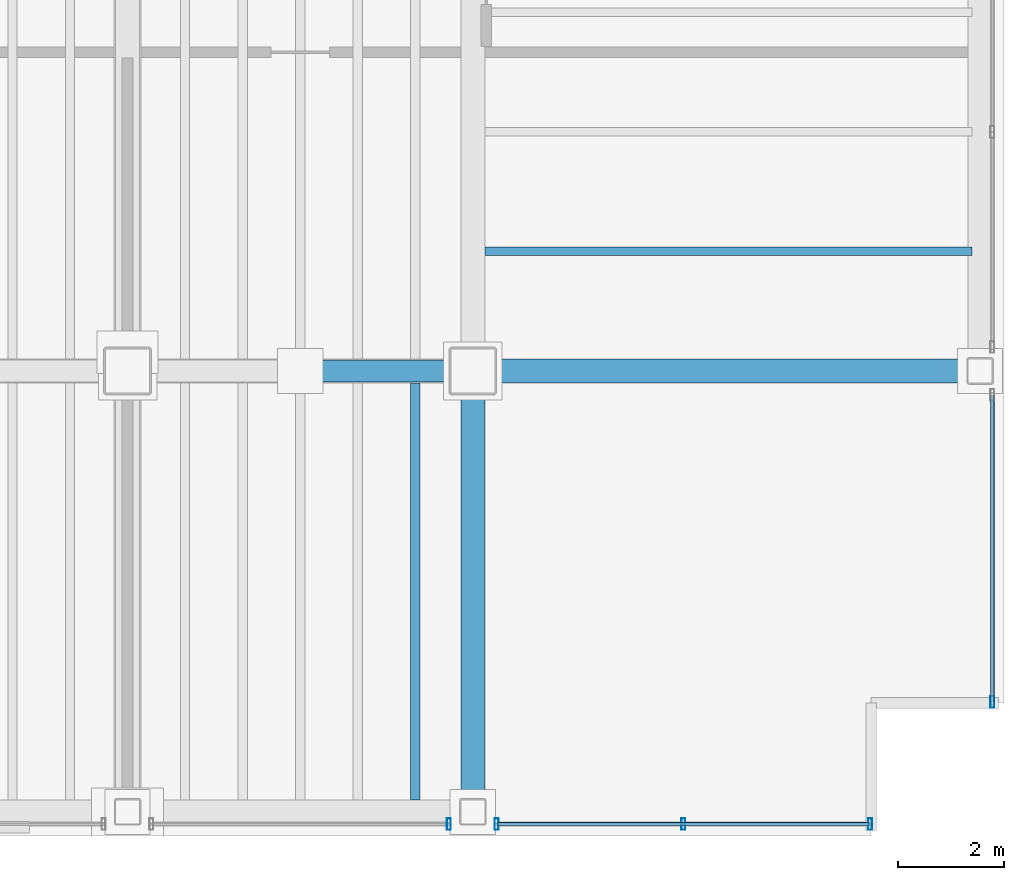
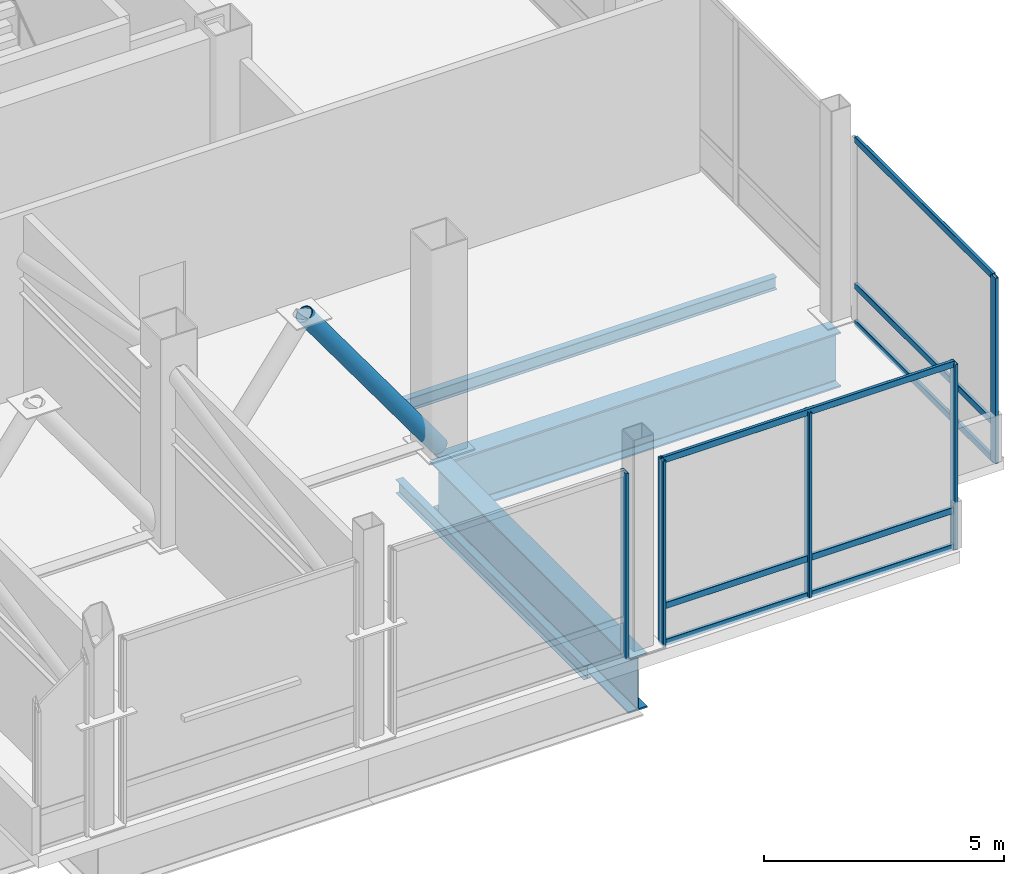
# One storey, part 12 of 18: 12 members, 4 beams, 3 elements without a shape of their own.
"""IFC4 building model written with IfcOpenShell, lengths in metres."""

from ifc_helpers import new_model, si_unit, direction, frame, origin, origin_2d, place, context, subcontext, project, spatial, hollow_rectangle, hollow_circle, i_section, extrude, material, material_profile, profile_set, type_object, element, aggregate, save


model = new_model("IFC4")

# Units and contexts
model_context = context("Model", 3, precision=1e-05, world=origin(), true_north=direction((0.0, 1.0)))
body_context = subcontext(model_context, "Body", "Model", "MODEL_VIEW")
ifc_project = project(units=[si_unit("LENGTHUNIT", "METRE"), si_unit("AREAUNIT", "SQUARE_METRE"), si_unit("VOLUMEUNIT", "CUBIC_METRE"), si_unit("PLANEANGLEUNIT", "RADIAN"), si_unit("MASSUNIT", "GRAM", prefix="KILO")], contexts=[model_context])

# Site, building, storey
site_placement = place(None, origin())
site = spatial("IfcSite", under=ifc_project, at=site_placement, CompositionType="ELEMENT")
building_placement = place(site_placement, origin())
building = spatial("IfcBuilding", under=site, at=building_placement, Name="Noeulbin Bourse Tower", CompositionType="ELEMENT")
storey_placement = place(building_placement, frame((0.0, 0.0, 200.699951171875)))
storey = spatial("IfcBuildingStorey", under=building, at=storey_placement, Name="L50", CompositionType="ELEMENT", Elevation=200.699951171875)

# Beams
ifc_material_1 = material(Name="Steel S355", Category="steel")
ifc_material_profile_1 = material_profile(ifc_material_1, i_section(OverallWidth=0.159912109375, OverallDepth=0.320068359375, WebThickness=0.006591796875, FlangeThickness=0.010009765625, FilletRadius=0.012939453125, at=origin_2d()), Name="H-320x160x6.5x10", Category="LoadBearing")
ifc_profile_set_1 = profile_set([ifc_material_profile_1], Name="Steel S355")
beam_type_1 = type_object("IfcBeamType", Name="BM-JST-320", PredefinedType="JOIST", material=ifc_profile_set_1)
beam_1_placement = place(storey_placement, frame((44.22509765625, 22.25, -0.4599609375), z_axis=(1.0, 0.0, 0.0), x_axis=(0.0, 1.0, 0.0)))
element("IfcBeam", 1, at=beam_1_placement, inside=storey, type_object=beam_type_1, Name="Wing Composite Joist L50-E50", PredefinedType="JOIST", context=body_context, shape_type="SweptSolid", body=[
    extrude(i_section(OverallWidth=0.159912109375, OverallDepth=0.320068359375, WebThickness=0.006591796875, FlangeThickness=0.010009765625, FilletRadius=0.012939453125, at=origin_2d()), origin(), (0.0, 0.0, 1.0), 9.1748046875),
])
ifc_material_profile_2 = material_profile(ifc_material_1, i_section(OverallWidth=0.175048828125, OverallDepth=0.35009765625, WebThickness=0.007080078125, FlangeThickness=0.010986328125, FilletRadius=0.013916015625, at=origin_2d()), Name="H-350x175x7x11", Category="LoadBearing")
ifc_profile_set_2 = profile_set([ifc_material_profile_2], Name="Steel S355")
beam_type_2 = type_object("IfcBeamType", Name="BM-JST-350", PredefinedType="JOIST", material=ifc_profile_set_2)
beam_2_placement = place(storey_placement, frame((42.916748046875, 11.925048828125, -0.474853515625), z_axis=(0.0, 1.0, 0.0), x_axis=(-1.0, 0.0, 0.0)))
element("IfcBeam", 2, at=beam_2_placement, inside=storey, type_object=beam_type_2, Name="Tower Composite Joist L50-45", PredefinedType="JOIST", context=body_context, shape_type="SweptSolid", body=[
    extrude(i_section(OverallWidth=0.175048828125, OverallDepth=0.35009765625, WebThickness=0.007080078125, FlangeThickness=0.010986328125, FilletRadius=0.013916015625, at=origin_2d()), origin(), (0.0, 0.0, 1.0), 7.849853515625),
])
ifc_material_2 = material(Name="Steel S460", Category="steel")
ifc_material_profile_3 = material_profile(ifc_material_2, i_section(OverallWidth=0.449951171875, OverallDepth=1.39990234375, WebThickness=0.02392578125, FlangeThickness=0.0400390625, FilletRadius=0.02392578125, at=origin_2d()), Name="PG-1400x450x24x40", Category="LoadBearing")
ifc_profile_set_3 = profile_set([ifc_material_profile_3], Name="Steel S460")
beam_type_3 = type_object("IfcBeamType", Name="BM-TRF-1400", PredefinedType="USERDEFINED", material=ifc_profile_set_3)
beam_3_placement = place(storey_placement, frame((44.0, 20.0, -1.0), z_axis=(1.0, 0.0, 0.0), x_axis=(0.0, 1.0, 0.0)))
element("IfcBeam", 3, at=beam_3_placement, inside=storey, type_object=beam_type_3, Name="Tower Primary Girder EW L50-1.6", ObjectType="GIRDER", PredefinedType="USERDEFINED", context=body_context, shape_type="SweptSolid", body=[
    extrude(i_section(OverallWidth=0.449951171875, OverallDepth=1.39990234375, WebThickness=0.02392578125, FlangeThickness=0.0400390625, FilletRadius=0.02392578125, at=origin_2d()), origin(), (0.0, 0.0, 1.0), 9.550048828125),
])
beam_4_placement = place(storey_placement, frame((44.0, 11.699951171875, -1.0), z_axis=(0.0, 1.0, 0.0), x_axis=(-1.0, 0.0, 0.0)))
element("IfcBeam", 4, at=beam_4_placement, inside=storey, type_object=beam_type_3, Name="Tower Primary Girder NS L50-5.1", ObjectType="GIRDER", PredefinedType="USERDEFINED", context=body_context, shape_type="SweptSolid", body=[
    extrude(i_section(OverallWidth=0.449951171875, OverallDepth=1.39990234375, WebThickness=0.02392578125, FlangeThickness=0.0400390625, FilletRadius=0.02392578125, at=origin_2d()), origin(), (0.0, 0.0, 1.0), 8.300048828125),
])

# Curtain wall, member
ifc_material_3 = material(Name="Translucent Ceramic-Fritted Glass", Category="glass")
curtain_wall_type = type_object("IfcCurtainWallType", Name="CW-SYS-5", PredefinedType="NOTDEFINED", material=ifc_material_3)
curtain_wall_1_placement = place(storey_placement, origin())
curtain_wall_1 = element("IfcCurtainWall", 5, at=curtain_wall_1_placement, inside=storey, type_object=curtain_wall_type, Name="Unitised Curtain Wall CW-L50-S2-S3", PredefinedType="NOTDEFINED")
ifc_material_4 = material(Name="Anodised Aluminium 6063-T6", Category="aluminium")
ifc_material_profile_4 = material_profile(ifc_material_4, hollow_rectangle(XDim=0.074951171875, YDim=0.219970703125, WallThickness=0.0048828125, InnerFilletRadius=0.00244140625, OuterFilletRadius=0.0048828125, at=origin_2d()), Name="ALU-MULL-75x220x5", Category="LoadBearing")
ifc_profile_set_4 = profile_set([ifc_material_profile_4], Name="Anodised Aluminium 6063-T6")
member_type_1 = type_object("IfcMemberType", Name="CW-SYS-5-MUL", PredefinedType="MULLION", material=ifc_profile_set_4)
member_1_placement = place(storey_placement, frame((43.550048828125, 11.469970703125, -0.02001953125), z_axis=(0.0, 0.0, 1.0), x_axis=(1.0, 0.0, 0.0)))
member_1 = element("IfcMember", 6, at=member_1_placement, type_object=member_type_1, Name="Curtain Wall Mullion CW-L50-S2-S3-M01", PredefinedType="MULLION", context=body_context, shape_type="SweptSolid", body=[
    extrude(hollow_rectangle(XDim=0.074951171875, YDim=0.219970703125, WallThickness=0.0048828125, InnerFilletRadius=0.00244140625, OuterFilletRadius=0.0048828125, at=origin_2d()), origin(), (0.0, 0.0, 1.0), 4.719970703125),
])
aggregate(curtain_wall_1, [member_1])

# Curtain wall, members
curtain_wall_2_placement = place(storey_placement, origin())
curtain_wall_2 = element("IfcCurtainWall", 7, at=curtain_wall_2_placement, inside=storey, type_object=curtain_wall_type, Name="Unitised Curtain Wall CW-L50-S2-S4", PredefinedType="NOTDEFINED")
member_2_placement = place(storey_placement, frame((44.449951171875, 11.469970703125, -0.02001953125), z_axis=(0.0, 0.0, 1.0), x_axis=(1.0, 0.0, 0.0)))
member_2 = element("IfcMember", 8, at=member_2_placement, type_object=member_type_1, Name="Curtain Wall Mullion CW-L50-S2-S4-M00", PredefinedType="MULLION", context=body_context, shape_type="SweptSolid", body=[
    extrude(hollow_rectangle(XDim=0.074951171875, YDim=0.219970703125, WallThickness=0.0048828125, InnerFilletRadius=0.00244140625, OuterFilletRadius=0.0048828125, at=origin_2d()), origin(), (0.0, 0.0, 1.0), 4.719970703125),
])
member_3_placement = place(storey_placement, frame((47.965087890625, 11.469970703125, -0.02001953125), z_axis=(0.0, 0.0, 1.0), x_axis=(1.0, 0.0, 0.0)))
member_3 = element("IfcMember", 9, at=member_3_placement, type_object=member_type_1, Name="Curtain Wall Mullion CW-L50-S2-S4-M01", PredefinedType="MULLION", context=body_context, shape_type="SweptSolid", body=[
    extrude(hollow_rectangle(XDim=0.074951171875, YDim=0.219970703125, WallThickness=0.0048828125, InnerFilletRadius=0.00244140625, OuterFilletRadius=0.0048828125, at=origin_2d()), origin(), (0.0, 0.0, 1.0), 4.719970703125),
])
member_4_placement = place(storey_placement, frame((51.47998046875, 11.469970703125, -0.02001953125), z_axis=(0.0, 0.0, 1.0), x_axis=(1.0, 0.0, 0.0)))
member_4 = element("IfcMember", 10, at=member_4_placement, type_object=member_type_1, Name="Curtain Wall Mullion CW-L50-S2-S4-M02", PredefinedType="MULLION", context=body_context, shape_type="SweptSolid", body=[
    extrude(hollow_rectangle(XDim=0.074951171875, YDim=0.219970703125, WallThickness=0.0048828125, InnerFilletRadius=0.00244140625, OuterFilletRadius=0.0048828125, at=origin_2d()), origin(), (0.0, 0.0, 1.0), 4.719970703125),
])

# Curtain wall, member
curtain_wall_3_placement = place(storey_placement, origin())
curtain_wall_3 = element("IfcCurtainWall", 11, at=curtain_wall_3_placement, inside=storey, type_object=curtain_wall_type, Name="Unitised Curtain Wall CW-L50-E-S1", PredefinedType="NOTDEFINED")
member_5_placement = place(storey_placement, frame((53.780029296875, 13.77001953125, -0.02001953125), z_axis=(0.0, 0.0, 1.0), x_axis=(1.0, 0.0, 0.0)))
member_5 = element("IfcMember", 12, at=member_5_placement, type_object=member_type_1, Name="Curtain Wall Mullion CW-L50-E-S1-M00", PredefinedType="MULLION", context=body_context, shape_type="SweptSolid", body=[
    extrude(hollow_rectangle(XDim=0.074951171875, YDim=0.219970703125, WallThickness=0.0048828125, InnerFilletRadius=0.00244140625, OuterFilletRadius=0.0048828125, at=origin_2d()), origin(), (0.0, 0.0, 1.0), 4.719970703125),
])

# Member
ifc_material_profile_5 = material_profile(ifc_material_4, hollow_rectangle(XDim=0.074951171875, YDim=0.159912109375, WallThickness=0.0048828125, InnerFilletRadius=0.00244140625, OuterFilletRadius=0.0048828125, at=origin_2d()), Name="ALU-TRAN-75x160x5", Category="LoadBearing")
ifc_profile_set_5 = profile_set([ifc_material_profile_5], Name="Anodised Aluminium 6063-T6")
member_type_2 = type_object("IfcMemberType", Name="CW-SYS-5-TRN", PredefinedType="USERDEFINED", material=ifc_profile_set_5)
member_6_placement = place(storey_placement, frame((44.4599609375, 11.469970703125, 0.010009765625), z_axis=(1.0, 0.0, 0.0), x_axis=(0.0, 1.0, 0.0)))
member_6 = element("IfcMember", 13, at=member_6_placement, type_object=member_type_2, Name="Curtain Wall Transom CW-L50-S2-S4-T00", ObjectType="TRANSOM", PredefinedType="USERDEFINED", context=body_context, shape_type="SweptSolid", body=[
    extrude(hollow_rectangle(XDim=0.074951171875, YDim=0.159912109375, WallThickness=0.0048828125, InnerFilletRadius=0.00244140625, OuterFilletRadius=0.0048828125, at=origin_2d()), origin(), (0.0, 0.0, 1.0), 7.010009765625),
])

member_7_placement = place(storey_placement, frame((44.4599609375, 11.469970703125, 0.949951171875), z_axis=(1.0, 0.0, 0.0), x_axis=(0.0, 1.0, 0.0)))
member_7 = element("IfcMember", 14, at=member_7_placement, type_object=member_type_2, Name="Curtain Wall Transom CW-L50-S2-S4-T01", ObjectType="TRANSOM", PredefinedType="USERDEFINED", context=body_context, shape_type="SweptSolid", body=[
    extrude(hollow_rectangle(XDim=0.074951171875, YDim=0.159912109375, WallThickness=0.0048828125, InnerFilletRadius=0.00244140625, OuterFilletRadius=0.0048828125, at=origin_2d()), origin(), (0.0, 0.0, 1.0), 7.010009765625),
])

member_8_placement = place(storey_placement, frame((44.4599609375, 11.469970703125, 4.670166015625), z_axis=(1.0, 0.0, 0.0), x_axis=(0.0, 1.0, 0.0)))
member_8 = element("IfcMember", 15, at=member_8_placement, type_object=member_type_2, Name="Curtain Wall Transom CW-L50-S2-S4-T02", ObjectType="TRANSOM", PredefinedType="USERDEFINED", context=body_context, shape_type="SweptSolid", body=[
    extrude(hollow_rectangle(XDim=0.074951171875, YDim=0.159912109375, WallThickness=0.0048828125, InnerFilletRadius=0.00244140625, OuterFilletRadius=0.0048828125, at=origin_2d()), origin(), (0.0, 0.0, 1.0), 7.010009765625),
])

aggregate(curtain_wall_2, [member_2, member_3, member_4, member_6, member_7, member_8])

member_9_placement = place(storey_placement, frame((53.780029296875, 13.780029296875, 0.010009765625), z_axis=(0.0, 1.0, 0.0), x_axis=(-1.0, 0.0, 0.0)))
member_9 = element("IfcMember", 16, at=member_9_placement, type_object=member_type_2, Name="Curtain Wall Transom CW-L50-E-S1-T00", ObjectType="TRANSOM", PredefinedType="USERDEFINED", context=body_context, shape_type="SweptSolid", body=[
    extrude(hollow_rectangle(XDim=0.074951171875, YDim=0.159912109375, WallThickness=0.0048828125, InnerFilletRadius=0.00244140625, OuterFilletRadius=0.0048828125, at=origin_2d()), origin(), (0.0, 0.0, 1.0), 5.760009765625),
])

member_10_placement = place(storey_placement, frame((53.780029296875, 13.780029296875, 0.949951171875), z_axis=(0.0, 1.0, 0.0), x_axis=(-1.0, 0.0, 0.0)))
member_10 = element("IfcMember", 17, at=member_10_placement, type_object=member_type_2, Name="Curtain Wall Transom CW-L50-E-S1-T01", ObjectType="TRANSOM", PredefinedType="USERDEFINED", context=body_context, shape_type="SweptSolid", body=[
    extrude(hollow_rectangle(XDim=0.074951171875, YDim=0.159912109375, WallThickness=0.0048828125, InnerFilletRadius=0.00244140625, OuterFilletRadius=0.0048828125, at=origin_2d()), origin(), (0.0, 0.0, 1.0), 5.760009765625),
])

member_11_placement = place(storey_placement, frame((53.780029296875, 13.780029296875, 4.670166015625), z_axis=(0.0, 1.0, 0.0), x_axis=(-1.0, 0.0, 0.0)))
member_11 = element("IfcMember", 18, at=member_11_placement, type_object=member_type_2, Name="Curtain Wall Transom CW-L50-E-S1-T02", ObjectType="TRANSOM", PredefinedType="USERDEFINED", context=body_context, shape_type="SweptSolid", body=[
    extrude(hollow_rectangle(XDim=0.074951171875, YDim=0.159912109375, WallThickness=0.0048828125, InnerFilletRadius=0.00244140625, OuterFilletRadius=0.0048828125, at=origin_2d()), origin(), (0.0, 0.0, 1.0), 5.760009765625),
])

aggregate(curtain_wall_3, [member_5, member_9, member_10, member_11])

ifc_material_profile_6 = material_profile(ifc_material_1, hollow_circle(Radius=0.203125, WallThickness=0.01611328125, at=origin_2d()), Name="CHS-406.4x16.0", Category="LoadBearing")
ifc_profile_set_6 = profile_set([ifc_material_profile_6], Name="Steel S355")
member_type_3 = type_object("IfcMemberType", Name="MEM-BLT-406", PredefinedType="BRACE", material=ifc_profile_set_6)
member_12_placement = place(storey_placement, frame((40.75, 20.0, 4.5), z_axis=(0.58634739167, 0.0, -0.810059711553), x_axis=(0.0, 1.0, 0.0)))
element("IfcMember", 19, at=member_12_placement, inside=storey, type_object=member_type_3, Name="Interior Spine Belt Diagonal BT-L50-3B", PredefinedType="BRACE", context=body_context, shape_type="SweptSolid", body=[
    extrude(hollow_circle(Radius=0.203125, WallThickness=0.01611328125, at=origin_2d()), origin(), (0.0, 0.0, 1.0), 5.542724609375),
])

save(model, "model.ifc")
